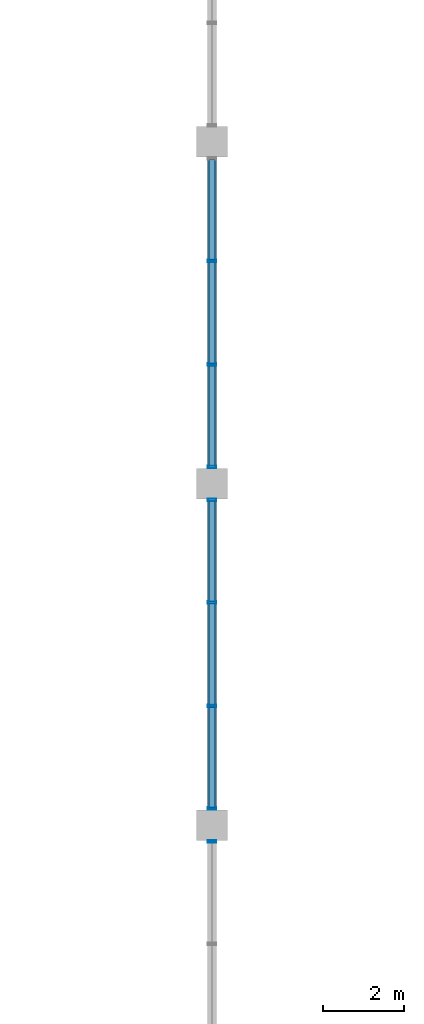
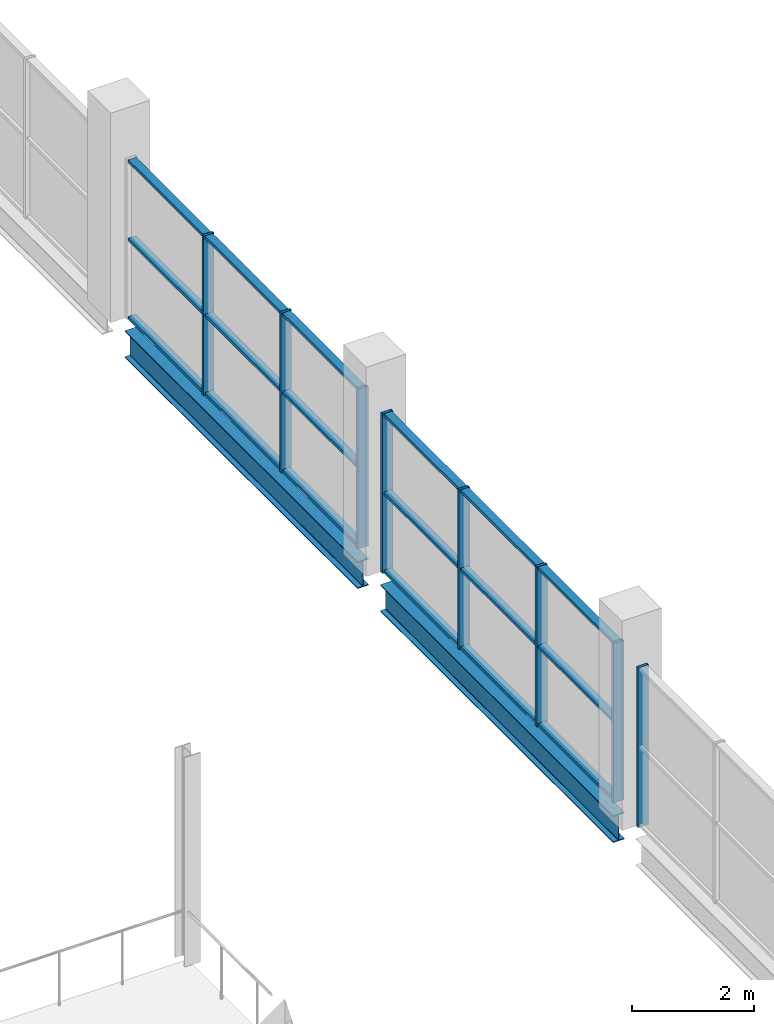
# One storey, part 15 of 68: 26 members, 2 beams, 3 elements without a shape of their own.
"""IFC4 building model written with IfcOpenShell, lengths in metres."""

from ifc_helpers import new_model, si_unit, direction, frame, origin, origin_2d, place, context, subcontext, project, spatial, hollow_rectangle, i_section, extrude, material, material_profile, profile_set, type_object, element, aggregate, save


model = new_model("IFC4")

# Units and contexts
model_context = context("Model", 3, precision=1e-05, world=origin(), true_north=direction((0.0, 1.0)))
body_context = subcontext(model_context, "Body", "Model", "MODEL_VIEW")
ifc_project = project(units=[si_unit("LENGTHUNIT", "METRE"), si_unit("AREAUNIT", "SQUARE_METRE"), si_unit("VOLUMEUNIT", "CUBIC_METRE"), si_unit("PLANEANGLEUNIT", "RADIAN"), si_unit("MASSUNIT", "GRAM", prefix="KILO"), si_unit("THERMODYNAMICTEMPERATUREUNIT", "KELVIN")], contexts=[model_context])

# Site, building, storey
site_placement = place(None, origin())
site = spatial("IfcSite", under=ifc_project, at=site_placement, CompositionType="ELEMENT")
building_placement = place(site_placement, origin())
building = spatial("IfcBuilding", under=site, at=building_placement, Name="Nduvali Passage Aquatics Centre", CompositionType="ELEMENT")
storey_placement = place(building_placement, frame((0.0, 0.0, 13.199951171875)))
storey = spatial("IfcBuildingStorey", under=building, at=storey_placement, Name="L03", CompositionType="ELEMENT", Elevation=13.199951171875)

# Curtain wall, member
ifc_material_1 = material(Name="Aluminium EN AW-6063 T6", Category="aluminium")
curtain_wall_type = type_object("IfcCurtainWallType", Name="ENV-CW-CLER", PredefinedType="NOTDEFINED", material=ifc_material_1)
curtain_wall_1_placement = place(storey_placement, origin())
curtain_wall_1 = element("IfcCurtainWall", 1, at=curtain_wall_1_placement, inside=storey, type_object=curtain_wall_type, Name="L03 West Pool Hall Upper Clerestory 005", PredefinedType="NOTDEFINED")
ifc_material_profile_1 = material_profile(ifc_material_1, hollow_rectangle(XDim=0.06005859375, YDim=0.199951171875, WallThickness=0.00390625, at=origin_2d()), Name="ALU MULLION 60x200x4")
ifc_profile_set_1 = profile_set([ifc_material_profile_1], Name="Aluminium EN AW-6063 T6")
member_type_1 = type_object("IfcMemberType", Name="ENV-MEM-MUL80", PredefinedType="MULLION", material=ifc_profile_set_1)
member_1_placement = place(storey_placement, frame((25.199951171875, 41.594970703125, 0.0), z_axis=(0.0, 0.0, 1.0), x_axis=(0.0, 1.0, 0.0)))
member_1 = element("IfcMember", 2, at=member_1_placement, type_object=member_type_1, Name="West Pool Hall Upper Clerestory Mullion 4", PredefinedType="MULLION", context=body_context, shape_type="SweptSolid", body=[
    extrude(hollow_rectangle(XDim=0.06005859375, YDim=0.199951171875, WallThickness=0.00390625, at=origin_2d()), origin(), (0.0, 0.0, 1.0), 3.199951171875),
])
aggregate(curtain_wall_1, [member_1])

# Curtain wall, members
curtain_wall_2_placement = place(storey_placement, origin())
curtain_wall_2 = element("IfcCurtainWall", 3, at=curtain_wall_2_placement, inside=storey, type_object=curtain_wall_type, Name="L03 West Pool Hall Upper Clerestory 006", PredefinedType="NOTDEFINED")
member_2_placement = place(storey_placement, frame((25.199951171875, 42.405029296875, 0.0), z_axis=(0.0, 0.0, 1.0), x_axis=(0.0, 1.0, 0.0)))
member_2 = element("IfcMember", 4, at=member_2_placement, type_object=member_type_1, Name="West Pool Hall Upper Clerestory Mullion 1", PredefinedType="MULLION", context=body_context, shape_type="SweptSolid", body=[
    extrude(hollow_rectangle(XDim=0.06005859375, YDim=0.199951171875, WallThickness=0.00390625, at=origin_2d()), origin(), (0.0, 0.0, 1.0), 3.199951171875),
])
member_3_placement = place(storey_placement, frame((25.199951171875, 44.925048828125, 0.0), z_axis=(0.0, 0.0, 1.0), x_axis=(0.0, 1.0, 0.0)))
member_3 = element("IfcMember", 5, at=member_3_placement, type_object=member_type_1, Name="West Pool Hall Upper Clerestory Mullion 2", PredefinedType="MULLION", context=body_context, shape_type="SweptSolid", body=[
    extrude(hollow_rectangle(XDim=0.06005859375, YDim=0.199951171875, WallThickness=0.00390625, at=origin_2d()), origin(), (0.0, 0.0, 1.0), 3.199951171875),
])
member_4_placement = place(storey_placement, frame((25.199951171875, 47.47509765625, 0.0), z_axis=(0.0, 0.0, 1.0), x_axis=(0.0, 1.0, 0.0)))
member_4 = element("IfcMember", 6, at=member_4_placement, type_object=member_type_1, Name="West Pool Hall Upper Clerestory Mullion 3", PredefinedType="MULLION", context=body_context, shape_type="SweptSolid", body=[
    extrude(hollow_rectangle(XDim=0.06005859375, YDim=0.199951171875, WallThickness=0.00390625, at=origin_2d()), origin(), (0.0, 0.0, 1.0), 3.199951171875),
])
member_5_placement = place(storey_placement, frame((25.199951171875, 49.9951171875, 0.0), z_axis=(0.0, 0.0, 1.0), x_axis=(0.0, 1.0, 0.0)))
member_5 = element("IfcMember", 7, at=member_5_placement, type_object=member_type_1, Name="West Pool Hall Upper Clerestory Mullion 4", PredefinedType="MULLION", context=body_context, shape_type="SweptSolid", body=[
    extrude(hollow_rectangle(XDim=0.06005859375, YDim=0.199951171875, WallThickness=0.00390625, at=origin_2d()), origin(), (0.0, 0.0, 1.0), 3.199951171875),
])

curtain_wall_3_placement = place(storey_placement, origin())
curtain_wall_3 = element("IfcCurtainWall", 8, at=curtain_wall_3_placement, inside=storey, type_object=curtain_wall_type, Name="L03 West Pool Hall Upper Clerestory 007", PredefinedType="NOTDEFINED")
member_6_placement = place(storey_placement, frame((25.199951171875, 50.804931640625, 0.0), z_axis=(0.0, 0.0, 1.0), x_axis=(0.0, 1.0, 0.0)))
member_6 = element("IfcMember", 9, at=member_6_placement, type_object=member_type_1, Name="West Pool Hall Upper Clerestory Mullion 1", PredefinedType="MULLION", context=body_context, shape_type="SweptSolid", body=[
    extrude(hollow_rectangle(XDim=0.06005859375, YDim=0.199951171875, WallThickness=0.00390625, at=origin_2d()), origin(), (0.0, 0.0, 1.0), 3.199951171875),
])
member_7_placement = place(storey_placement, frame((25.199951171875, 53.324951171875, 0.0), z_axis=(0.0, 0.0, 1.0), x_axis=(0.0, 1.0, 0.0)))
member_7 = element("IfcMember", 10, at=member_7_placement, type_object=member_type_1, Name="West Pool Hall Upper Clerestory Mullion 2", PredefinedType="MULLION", context=body_context, shape_type="SweptSolid", body=[
    extrude(hollow_rectangle(XDim=0.06005859375, YDim=0.199951171875, WallThickness=0.00390625, at=origin_2d()), origin(), (0.0, 0.0, 1.0), 3.199951171875),
])
member_8_placement = place(storey_placement, frame((25.199951171875, 55.875, 0.0), z_axis=(0.0, 0.0, 1.0), x_axis=(0.0, 1.0, 0.0)))
member_8 = element("IfcMember", 11, at=member_8_placement, type_object=member_type_1, Name="West Pool Hall Upper Clerestory Mullion 3", PredefinedType="MULLION", context=body_context, shape_type="SweptSolid", body=[
    extrude(hollow_rectangle(XDim=0.06005859375, YDim=0.199951171875, WallThickness=0.00390625, at=origin_2d()), origin(), (0.0, 0.0, 1.0), 3.199951171875),
])

# Member
ifc_material_profile_2 = material_profile(ifc_material_1, hollow_rectangle(XDim=0.14990234375, YDim=0.06005859375, WallThickness=0.00390625, at=origin_2d()), Name="ALU TRANSOM 150x60x4")
ifc_profile_set_2 = profile_set([ifc_material_profile_2], Name="Aluminium EN AW-6063 T6")
member_type_2 = type_object("IfcMemberType", Name="ENV-MEM-TRN80", PredefinedType="USERDEFINED", material=ifc_profile_set_2)
member_9_placement = place(storey_placement, frame((25.199951171875, 42.43505859375, 0.030029296875), z_axis=(0.0, 1.0, 0.0), x_axis=(-1.0, 0.0, 0.0)))
member_9 = element("IfcMember", 12, at=member_9_placement, type_object=member_type_2, Name="West Pool Hall Upper Clerestory Transom B1-R0", ObjectType="TRANSOM", PredefinedType="USERDEFINED", context=body_context, shape_type="SweptSolid", body=[
    extrude(hollow_rectangle(XDim=0.14990234375, YDim=0.06005859375, WallThickness=0.00390625, at=origin_2d()), origin(), (0.0, 0.0, 1.0), 2.4599609375),
])

member_10_placement = place(storey_placement, frame((25.199951171875, 42.43505859375, 1.60009765625), z_axis=(0.0, 1.0, 0.0), x_axis=(-1.0, 0.0, 0.0)))
member_10 = element("IfcMember", 13, at=member_10_placement, type_object=member_type_2, Name="West Pool Hall Upper Clerestory Transom B1-R1", ObjectType="TRANSOM", PredefinedType="USERDEFINED", context=body_context, shape_type="SweptSolid", body=[
    extrude(hollow_rectangle(XDim=0.14990234375, YDim=0.06005859375, WallThickness=0.00390625, at=origin_2d()), origin(), (0.0, 0.0, 1.0), 2.4599609375),
])

member_11_placement = place(storey_placement, frame((25.199951171875, 42.43505859375, 3.170166015625), z_axis=(0.0, 1.0, 0.0), x_axis=(-1.0, 0.0, 0.0)))
member_11 = element("IfcMember", 14, at=member_11_placement, type_object=member_type_2, Name="West Pool Hall Upper Clerestory Transom B1-R2", ObjectType="TRANSOM", PredefinedType="USERDEFINED", context=body_context, shape_type="SweptSolid", body=[
    extrude(hollow_rectangle(XDim=0.14990234375, YDim=0.06005859375, WallThickness=0.00390625, at=origin_2d()), origin(), (0.0, 0.0, 1.0), 2.4599609375),
])

member_12_placement = place(storey_placement, frame((25.199951171875, 44.955078125, 0.030029296875), z_axis=(0.0, 1.0, 0.0), x_axis=(-1.0, 0.0, 0.0)))
member_12 = element("IfcMember", 15, at=member_12_placement, type_object=member_type_2, Name="West Pool Hall Upper Clerestory Transom B2-R0", ObjectType="TRANSOM", PredefinedType="USERDEFINED", context=body_context, shape_type="SweptSolid", body=[
    extrude(hollow_rectangle(XDim=0.14990234375, YDim=0.06005859375, WallThickness=0.00390625, at=origin_2d()), origin(), (0.0, 0.0, 1.0), 2.489990234375),
])

member_13_placement = place(storey_placement, frame((25.199951171875, 44.955078125, 1.60009765625), z_axis=(0.0, 1.0, 0.0), x_axis=(-1.0, 0.0, 0.0)))
member_13 = element("IfcMember", 16, at=member_13_placement, type_object=member_type_2, Name="West Pool Hall Upper Clerestory Transom B2-R1", ObjectType="TRANSOM", PredefinedType="USERDEFINED", context=body_context, shape_type="SweptSolid", body=[
    extrude(hollow_rectangle(XDim=0.14990234375, YDim=0.06005859375, WallThickness=0.00390625, at=origin_2d()), origin(), (0.0, 0.0, 1.0), 2.489990234375),
])

member_14_placement = place(storey_placement, frame((25.199951171875, 44.955078125, 3.170166015625), z_axis=(0.0, 1.0, 0.0), x_axis=(-1.0, 0.0, 0.0)))
member_14 = element("IfcMember", 17, at=member_14_placement, type_object=member_type_2, Name="West Pool Hall Upper Clerestory Transom B2-R2", ObjectType="TRANSOM", PredefinedType="USERDEFINED", context=body_context, shape_type="SweptSolid", body=[
    extrude(hollow_rectangle(XDim=0.14990234375, YDim=0.06005859375, WallThickness=0.00390625, at=origin_2d()), origin(), (0.0, 0.0, 1.0), 2.489990234375),
])

member_15_placement = place(storey_placement, frame((25.199951171875, 47.5048828125, 0.030029296875), z_axis=(0.0, 1.0, 0.0), x_axis=(-1.0, 0.0, 0.0)))
member_15 = element("IfcMember", 18, at=member_15_placement, type_object=member_type_2, Name="West Pool Hall Upper Clerestory Transom B3-R0", ObjectType="TRANSOM", PredefinedType="USERDEFINED", context=body_context, shape_type="SweptSolid", body=[
    extrude(hollow_rectangle(XDim=0.14990234375, YDim=0.06005859375, WallThickness=0.00390625, at=origin_2d()), origin(), (0.0, 0.0, 1.0), 2.460205078125),
])

member_16_placement = place(storey_placement, frame((25.199951171875, 47.5048828125, 1.60009765625), z_axis=(0.0, 1.0, 0.0), x_axis=(-1.0, 0.0, 0.0)))
member_16 = element("IfcMember", 19, at=member_16_placement, type_object=member_type_2, Name="West Pool Hall Upper Clerestory Transom B3-R1", ObjectType="TRANSOM", PredefinedType="USERDEFINED", context=body_context, shape_type="SweptSolid", body=[
    extrude(hollow_rectangle(XDim=0.14990234375, YDim=0.06005859375, WallThickness=0.00390625, at=origin_2d()), origin(), (0.0, 0.0, 1.0), 2.460205078125),
])

member_17_placement = place(storey_placement, frame((25.199951171875, 47.5048828125, 3.170166015625), z_axis=(0.0, 1.0, 0.0), x_axis=(-1.0, 0.0, 0.0)))
member_17 = element("IfcMember", 20, at=member_17_placement, type_object=member_type_2, Name="West Pool Hall Upper Clerestory Transom B3-R2", ObjectType="TRANSOM", PredefinedType="USERDEFINED", context=body_context, shape_type="SweptSolid", body=[
    extrude(hollow_rectangle(XDim=0.14990234375, YDim=0.06005859375, WallThickness=0.00390625, at=origin_2d()), origin(), (0.0, 0.0, 1.0), 2.460205078125),
])

aggregate(curtain_wall_2, [member_2, member_3, member_4, member_5, member_9, member_10, member_11, member_12, member_13, member_14, member_15, member_16, member_17])

member_18_placement = place(storey_placement, frame((25.199951171875, 50.8349609375, 0.030029296875), z_axis=(0.0, 1.0, 0.0), x_axis=(-1.0, 0.0, 0.0)))
member_18 = element("IfcMember", 21, at=member_18_placement, type_object=member_type_2, Name="West Pool Hall Upper Clerestory Transom B1-R0", ObjectType="TRANSOM", PredefinedType="USERDEFINED", context=body_context, shape_type="SweptSolid", body=[
    extrude(hollow_rectangle(XDim=0.14990234375, YDim=0.06005859375, WallThickness=0.00390625, at=origin_2d()), origin(), (0.0, 0.0, 1.0), 2.4599609375),
])

member_19_placement = place(storey_placement, frame((25.199951171875, 50.8349609375, 1.60009765625), z_axis=(0.0, 1.0, 0.0), x_axis=(-1.0, 0.0, 0.0)))
member_19 = element("IfcMember", 22, at=member_19_placement, type_object=member_type_2, Name="West Pool Hall Upper Clerestory Transom B1-R1", ObjectType="TRANSOM", PredefinedType="USERDEFINED", context=body_context, shape_type="SweptSolid", body=[
    extrude(hollow_rectangle(XDim=0.14990234375, YDim=0.06005859375, WallThickness=0.00390625, at=origin_2d()), origin(), (0.0, 0.0, 1.0), 2.4599609375),
])

member_20_placement = place(storey_placement, frame((25.199951171875, 50.8349609375, 3.170166015625), z_axis=(0.0, 1.0, 0.0), x_axis=(-1.0, 0.0, 0.0)))
member_20 = element("IfcMember", 23, at=member_20_placement, type_object=member_type_2, Name="West Pool Hall Upper Clerestory Transom B1-R2", ObjectType="TRANSOM", PredefinedType="USERDEFINED", context=body_context, shape_type="SweptSolid", body=[
    extrude(hollow_rectangle(XDim=0.14990234375, YDim=0.06005859375, WallThickness=0.00390625, at=origin_2d()), origin(), (0.0, 0.0, 1.0), 2.4599609375),
])

member_21_placement = place(storey_placement, frame((25.199951171875, 53.35498046875, 0.030029296875), z_axis=(0.0, 1.0, 0.0), x_axis=(-1.0, 0.0, 0.0)))
member_21 = element("IfcMember", 24, at=member_21_placement, type_object=member_type_2, Name="West Pool Hall Upper Clerestory Transom B2-R0", ObjectType="TRANSOM", PredefinedType="USERDEFINED", context=body_context, shape_type="SweptSolid", body=[
    extrude(hollow_rectangle(XDim=0.14990234375, YDim=0.06005859375, WallThickness=0.00390625, at=origin_2d()), origin(), (0.0, 0.0, 1.0), 2.489990234375),
])

member_22_placement = place(storey_placement, frame((25.199951171875, 53.35498046875, 1.60009765625), z_axis=(0.0, 1.0, 0.0), x_axis=(-1.0, 0.0, 0.0)))
member_22 = element("IfcMember", 25, at=member_22_placement, type_object=member_type_2, Name="West Pool Hall Upper Clerestory Transom B2-R1", ObjectType="TRANSOM", PredefinedType="USERDEFINED", context=body_context, shape_type="SweptSolid", body=[
    extrude(hollow_rectangle(XDim=0.14990234375, YDim=0.06005859375, WallThickness=0.00390625, at=origin_2d()), origin(), (0.0, 0.0, 1.0), 2.489990234375),
])

member_23_placement = place(storey_placement, frame((25.199951171875, 53.35498046875, 3.170166015625), z_axis=(0.0, 1.0, 0.0), x_axis=(-1.0, 0.0, 0.0)))
member_23 = element("IfcMember", 26, at=member_23_placement, type_object=member_type_2, Name="West Pool Hall Upper Clerestory Transom B2-R2", ObjectType="TRANSOM", PredefinedType="USERDEFINED", context=body_context, shape_type="SweptSolid", body=[
    extrude(hollow_rectangle(XDim=0.14990234375, YDim=0.06005859375, WallThickness=0.00390625, at=origin_2d()), origin(), (0.0, 0.0, 1.0), 2.489990234375),
])

member_24_placement = place(storey_placement, frame((25.199951171875, 55.905029296875, 0.030029296875), z_axis=(0.0, 1.0, 0.0), x_axis=(-1.0, 0.0, 0.0)))
member_24 = element("IfcMember", 27, at=member_24_placement, type_object=member_type_2, Name="West Pool Hall Upper Clerestory Transom B3-R0", ObjectType="TRANSOM", PredefinedType="USERDEFINED", context=body_context, shape_type="SweptSolid", body=[
    extrude(hollow_rectangle(XDim=0.14990234375, YDim=0.06005859375, WallThickness=0.00390625, at=origin_2d()), origin(), (0.0, 0.0, 1.0), 2.4599609375),
])

member_25_placement = place(storey_placement, frame((25.199951171875, 55.905029296875, 1.60009765625), z_axis=(0.0, 1.0, 0.0), x_axis=(-1.0, 0.0, 0.0)))
member_25 = element("IfcMember", 28, at=member_25_placement, type_object=member_type_2, Name="West Pool Hall Upper Clerestory Transom B3-R1", ObjectType="TRANSOM", PredefinedType="USERDEFINED", context=body_context, shape_type="SweptSolid", body=[
    extrude(hollow_rectangle(XDim=0.14990234375, YDim=0.06005859375, WallThickness=0.00390625, at=origin_2d()), origin(), (0.0, 0.0, 1.0), 2.4599609375),
])

member_26_placement = place(storey_placement, frame((25.199951171875, 55.905029296875, 3.170166015625), z_axis=(0.0, 1.0, 0.0), x_axis=(-1.0, 0.0, 0.0)))
member_26 = element("IfcMember", 29, at=member_26_placement, type_object=member_type_2, Name="West Pool Hall Upper Clerestory Transom B3-R2", ObjectType="TRANSOM", PredefinedType="USERDEFINED", context=body_context, shape_type="SweptSolid", body=[
    extrude(hollow_rectangle(XDim=0.14990234375, YDim=0.06005859375, WallThickness=0.00390625, at=origin_2d()), origin(), (0.0, 0.0, 1.0), 2.4599609375),
])

aggregate(curtain_wall_3, [member_6, member_7, member_8, member_18, member_19, member_20, member_21, member_22, member_23, member_24, member_25, member_26])

# Beams
ifc_material_2 = material(Name="Steel S355", Category="steel")
ifc_material_profile_3 = material_profile(ifc_material_2, i_section(OverallWidth=0.210693359375, OverallDepth=0.53955078125, WebThickness=0.01171875, FlangeThickness=0.018798828125, FilletRadius=0.0126953125, at=origin_2d()), Name="UKB 533x210x109")
ifc_profile_set_3 = profile_set([ifc_material_profile_3], Name="Steel S355")
beam_type = type_object("IfcBeamType", Name="STR-BM-UKB533-EXT", PredefinedType="BEAM", material=ifc_profile_set_3)
beam_1_placement = place(storey_placement, frame((25.199951171875, 42.375, -0.523681640625), z_axis=(0.0, 1.0, 0.0), x_axis=(-1.0, 0.0, 0.0)))
element("IfcBeam", 30, at=beam_1_placement, inside=storey, type_object=beam_type, Name="L03 Primary Y-Girder B6E-1251", PredefinedType="BEAM", context=body_context, shape_type="SweptSolid", body=[
    extrude(i_section(OverallWidth=0.210693359375, OverallDepth=0.53955078125, WebThickness=0.01171875, FlangeThickness=0.018798828125, FilletRadius=0.0126953125, at=origin_2d()), origin(), (0.0, 0.0, 1.0), 7.64990234375),
])
beam_2_placement = place(storey_placement, frame((25.199951171875, 50.77490234375, -0.523681640625), z_axis=(0.0, 1.0, 0.0), x_axis=(-1.0, 0.0, 0.0)))
element("IfcBeam", 31, at=beam_2_placement, inside=storey, type_object=beam_type, Name="L03 Primary Y-Girder B6E-1252", PredefinedType="BEAM", context=body_context, shape_type="SweptSolid", body=[
    extrude(i_section(OverallWidth=0.210693359375, OverallDepth=0.53955078125, WebThickness=0.01171875, FlangeThickness=0.018798828125, FilletRadius=0.0126953125, at=origin_2d()), origin(), (0.0, 0.0, 1.0), 7.650146484375),
])

save(model, "model.ifc")
